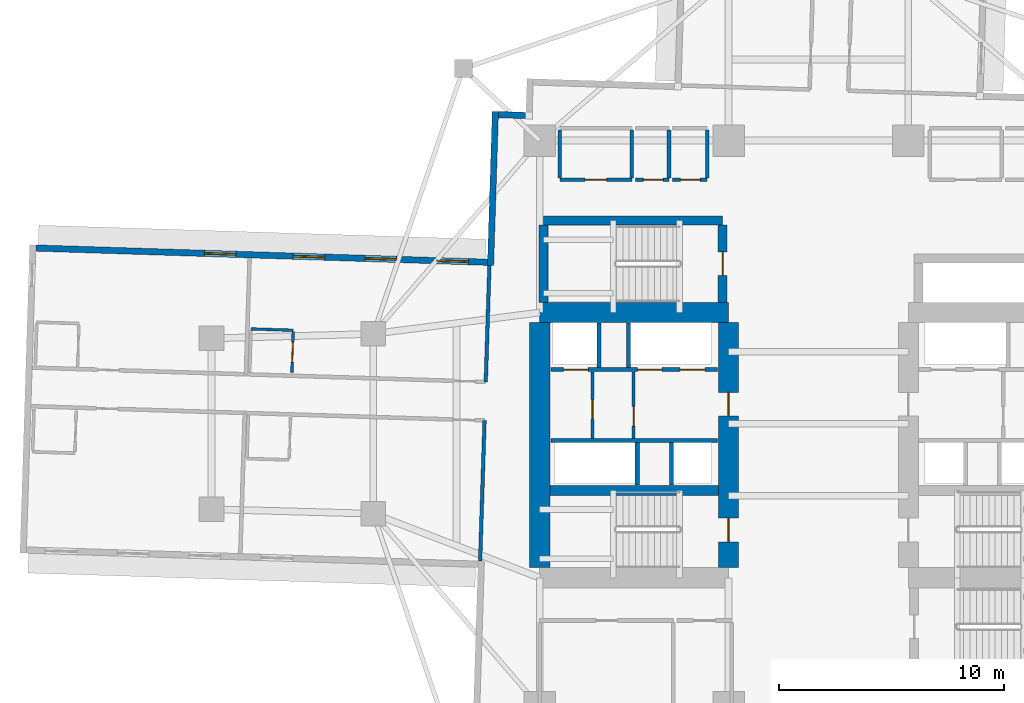
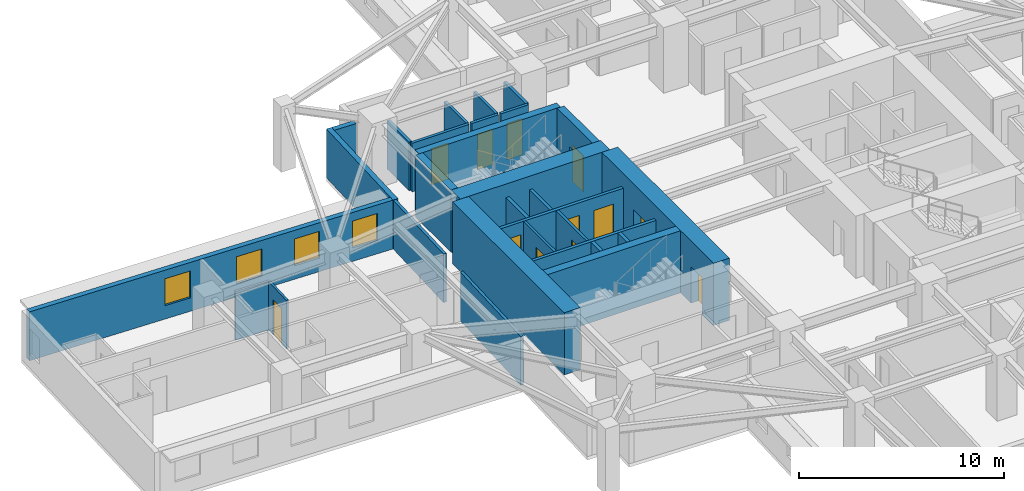
# One storey, part 5 of 13: 29 walls, 12 doors, 4 windows, 16 openings.
"""IFC4 building model written with IfcOpenShell, lengths in metres."""

from ifc_helpers import new_model, si_unit, direction, frame, frame_2d, origin, place, context, subcontext, project, spatial, rectangle, extrude, material, layer, layer_set, type_object, element, fill, save


model = new_model("IFC4")

# Units and contexts
model_context = context("Model", 3, precision=1e-05, world=origin(), true_north=direction((0.0, 1.0)))
body_context = subcontext(model_context, "Body", "Model", "MODEL_VIEW")
ifc_project = project(units=[si_unit("LENGTHUNIT", "METRE"), si_unit("AREAUNIT", "SQUARE_METRE"), si_unit("VOLUMEUNIT", "CUBIC_METRE"), si_unit("PLANEANGLEUNIT", "RADIAN"), si_unit("MASSUNIT", "GRAM", prefix="KILO")], contexts=[model_context])

# Site, building, storey
site_placement = place(None, origin())
site = spatial("IfcSite", under=ifc_project, at=site_placement, CompositionType="ELEMENT")
building_placement = place(site_placement, origin())
building = spatial("IfcBuilding", under=site, at=building_placement, Name="Qingluan Cross Belvedere", CompositionType="ELEMENT")
storey_placement = place(building_placement, frame((0.0, 0.0, 71.699951171875)))
storey = spatial("IfcBuildingStorey", under=building, at=storey_placement, Name="L18", CompositionType="ELEMENT", Elevation=71.699951171875)

# Walls
ifc_material_1 = material(Name="Concrete C50", Category="concrete")
ifc_layer_1 = layer(ifc_material_1, 0.449951171875, Name="CoreShearWall_450")
ifc_layer_set_1 = layer_set([ifc_layer_1], Name="Concrete C50")
wall_type_1 = type_object("IfcWallType", Name="CoreShearWall_450", PredefinedType="SHEAR", material=ifc_layer_set_1)
wall_1_placement = place(storey_placement, frame((-11.945068359375, -2.9599609375, 0.0), z_axis=(0.0, 0.0, 1.0), x_axis=(1.0, 0.0, 0.0)))
element("IfcWall", 1, at=wall_1_placement, inside=storey, type_object=wall_type_1, Name="Split core W shear wall L18-M", PredefinedType="SHEAR", context=body_context, shape_type="SweptSolid", body=[
    extrude(rectangle(XDim=7.489990234375, YDim=0.449951171875, at=frame_2d((3.7451171875, 0.0))), origin(), (0.0, 0.0, 1.0), 3.699951171875),
])
wall_2_placement = place(storey_placement, frame((-12.219970703125, 9.0400390625, 0.0), z_axis=(0.0, 0.0, 1.0), x_axis=(1.0, 0.0, 0.0)))
element("IfcWall", 2, at=wall_2_placement, inside=storey, type_object=wall_type_1, Name="Stair ST3 structural wall N L18", PredefinedType="SHEAR", context=body_context, shape_type="SweptSolid", body=[
    extrude(rectangle(XDim=7.9599609375, YDim=0.39990234375, at=frame_2d((3.97998046875, 0.0))), origin(), (0.0, 0.0, 1.0), 3.699951171875),
])
wall_3_placement = place(storey_placement, frame((-12.219970703125, 5.405029296875, 0.0), z_axis=(0.0, 0.0, 1.0), x_axis=(0.0, 1.0, 0.0)))
element("IfcWall", 3, at=wall_3_placement, inside=storey, type_object=wall_type_1, Name="Stair ST3 structural wall W L18", PredefinedType="SHEAR", context=body_context, shape_type="SweptSolid", body=[
    extrude(rectangle(XDim=3.429931640625, YDim=0.39990234375, at=frame_2d((1.71484375, 0.0))), origin(), (0.0, 0.0, 1.0), 3.699951171875),
])

# Wall, opening, door
wall_4_placement = place(storey_placement, frame((-4.260009765625, 5.405029296875, 0.0), z_axis=(0.0, 0.0, 1.0), x_axis=(0.0, 1.0, 0.0)))
wall_4 = element("IfcWall", 4, at=wall_4_placement, inside=storey, type_object=wall_type_1, Name="Stair ST3 structural wall E L18", PredefinedType="SHEAR", context=body_context, shape_type="SweptSolid", body=[
    extrude(rectangle(XDim=3.429931640625, YDim=0.39990234375, at=frame_2d((1.71484375, 0.0))), origin(), (0.0, 0.0, 1.0), 3.699951171875),
])
opening_1_placement = place(wall_4_placement, frame((1.195068359375, 0.0, 0.0)))
opening_1 = element("IfcOpeningElement", 5, at=opening_1_placement, cuts=wall_4, Name="Opening FD-B11", PredefinedType="OPENING", context=body_context, shape_type="SweptSolid", body=[
    extrude(rectangle(XDim=1.050048828125, YDim=2.14990234375, at=frame_2d((0.52490234375, 1.074951171875))), frame((0.0, 0.2099609375, 0.0), z_axis=(0.0, -1.0, 0.0), x_axis=(1.0, 0.0, 0.0)), (0.0, 0.0, 1.0), 0.419921875),
])
ifc_material_2 = material(Name="Steel Class B smoke-seal fire door", Category="steel")
door_type_1 = type_object("IfcDoorType", Name="StairLobbyFireDoor_FDB", OperationType="NOTDEFINED", PredefinedType="DOOR", material=ifc_material_2)
door_1_placement = place(opening_1_placement, origin())
door_1 = element("IfcDoor", 6, at=door_1_placement, inside=storey, type_object=door_type_1, Name="Smoke-proof stair ST3 fire door L18", OperationType="SINGLE_SWING_RIGHT", OverallHeight=2.14990234375, OverallWidth=1.050048828125, PredefinedType="DOOR", context=body_context, shape_type="SweptSolid", body=[
    extrude(rectangle(XDim=1.050048828125, YDim=2.14990234375, at=frame_2d((0.52490234375, 1.074951171875))), frame((0.0, 0.02490234375, 0.0), z_axis=(0.0, -1.0, 0.0), x_axis=(1.0, 0.0, 0.0)), (0.0, 0.0, 1.0), 0.050048828125),
])
fill(opening_1, door_1)

# Walls
ifc_material_3 = material(Name="Concrete C70", Category="concrete")
ifc_layer_2 = layer(ifc_material_3, 0.89990234375, Name="CoreShearWall_900")
ifc_layer_set_2 = layer_set([ifc_layer_2], Name="Concrete C70")
wall_type_2 = type_object("IfcWallType", Name="CoreShearWall_900", PredefinedType="SHEAR", material=ifc_layer_set_2)
wall_5_placement = place(storey_placement, frame((-12.39990234375, 4.949951171875, 0.0), z_axis=(0.0, 0.0, 1.0), x_axis=(1.0, 0.0, 0.0)))
element("IfcWall", 7, at=wall_5_placement, inside=storey, type_object=wall_type_2, Name="Split core W shear wall L18-N", PredefinedType="SHEAR", context=body_context, shape_type="SweptSolid", body=[
    extrude(rectangle(XDim=8.39990234375, YDim=0.89990234375, at=frame_2d((4.199951171875, 0.0))), origin(), (0.0, 0.0, 1.0), 3.699951171875),
])
wall_6_placement = place(storey_placement, frame((-12.39990234375, -6.39501953125, 0.0), z_axis=(0.0, 0.0, 1.0), x_axis=(0.0, 1.0, 0.0)))
element("IfcWall", 8, at=wall_6_placement, inside=storey, type_object=wall_type_2, Name="Split core W shear wall L18-W", PredefinedType="SHEAR", context=body_context, shape_type="SweptSolid", body=[
    extrude(rectangle(XDim=10.89013671875, YDim=0.89990234375, at=frame_2d((5.445068359375, 0.0))), origin(), (0.0, 0.0, 1.0), 3.699951171875),
])

# Wall, openings, doors
wall_7_placement = place(storey_placement, frame((-4.0, -6.39501953125, 0.0), z_axis=(0.0, 0.0, 1.0), x_axis=(0.0, 1.0, 0.0)))
wall_7 = element("IfcWall", 9, at=wall_7_placement, inside=storey, type_object=wall_type_2, Name="Split core W shear wall L18-E", PredefinedType="SHEAR", context=body_context, shape_type="SweptSolid", body=[
    extrude(rectangle(XDim=10.89013671875, YDim=0.89990234375, at=frame_2d((5.445068359375, 0.0))), origin(), (0.0, 0.0, 1.0), 3.699951171875),
])
opening_2_placement = place(wall_7_placement, frame((1.14501953125, 0.0, 0.0)))
opening_2 = element("IfcOpeningElement", 10, at=opening_2_placement, cuts=wall_7, Name="Opening FD-B11", PredefinedType="OPENING", context=body_context, shape_type="SweptSolid", body=[
    extrude(rectangle(XDim=1.050048828125, YDim=2.14990234375, at=frame_2d((0.52490234375, 1.074951171875))), frame((0.0, 0.4599609375, 0.0), z_axis=(0.0, -1.0, 0.0), x_axis=(1.0, 0.0, 0.0)), (0.0, 0.0, 1.0), 0.919921875),
])
opening_3_placement = place(wall_7_placement, frame((6.7451171875, 0.0, 0.0)))
opening_3 = element("IfcOpeningElement", 11, at=opening_3_placement, cuts=wall_7, Name="Opening FD-B11", PredefinedType="OPENING", context=body_context, shape_type="SweptSolid", body=[
    extrude(rectangle(XDim=1.050048828125, YDim=2.14990234375, at=frame_2d((0.52490234375, 1.074951171875))), frame((0.0, 0.4599609375, 0.0), z_axis=(0.0, -1.0, 0.0), x_axis=(1.0, 0.0, 0.0)), (0.0, 0.0, 1.0), 0.919921875),
])
door_2_placement = place(opening_2_placement, origin())
door_2 = element("IfcDoor", 12, at=door_2_placement, inside=storey, type_object=door_type_1, Name="Smoke-proof stair ST1 fire door L18", OperationType="SINGLE_SWING_RIGHT", OverallHeight=2.14990234375, OverallWidth=1.050048828125, PredefinedType="DOOR", context=body_context, shape_type="SweptSolid", body=[
    extrude(rectangle(XDim=1.050048828125, YDim=2.14990234375, at=frame_2d((0.52490234375, 1.074951171875))), frame((0.0, 0.02490234375, 0.0), z_axis=(0.0, -1.0, 0.0), x_axis=(1.0, 0.0, 0.0)), (0.0, 0.0, 1.0), 0.050048828125),
])
fill(opening_2, door_2)
door_3_placement = place(opening_3_placement, origin())
door_3 = element("IfcDoor", 13, at=door_3_placement, inside=storey, type_object=door_type_1, Name="Firefighting lobby West fire door L18", OperationType="SINGLE_SWING_RIGHT", OverallHeight=2.14990234375, OverallWidth=1.050048828125, PredefinedType="DOOR", context=body_context, shape_type="SweptSolid", body=[
    extrude(rectangle(XDim=1.050048828125, YDim=2.14990234375, at=frame_2d((0.52490234375, 1.074951171875))), frame((0.0, 0.02490234375, 0.0), z_axis=(0.0, -1.0, 0.0), x_axis=(1.0, 0.0, 0.0)), (0.0, 0.0, 1.0), 0.050048828125),
])
fill(opening_3, door_3)

# Wall, opening, door
ifc_material_4 = material(Name="Gypsum plasterboard on steel stud acoustic partition", Category="steel")
ifc_layer_3 = layer(ifc_material_4, 0.159912109375, Name="CorridorPartition_160")
ifc_layer_set_3 = layer_set([ifc_layer_3], Name="Gypsum plasterboard on steel stud acoustic partition")
wall_type_3 = type_object("IfcWallType", Name="CorridorPartition_160", PredefinedType="PARTITIONING", material=ifc_layer_set_3)
wall_8_placement = place(storey_placement, frame((-10.050048828125, -0.652099609375, 0.0), z_axis=(0.0, 0.0, 1.0), x_axis=(0.0, 1.0, 0.0)))
wall_8 = element("IfcWall", 14, at=wall_8_placement, inside=storey, type_object=wall_type_3, Name="Partition L18:wv", PredefinedType="PARTITIONING", context=body_context, shape_type="SweptSolid", body=[
    extrude(rectangle(XDim=2.962158203125, YDim=0.139892578125, at=frame_2d((1.48095703125, 0.0))), origin(), (0.0, 0.0, 1.0), 2.900146484375),
])
opening_4_placement = place(wall_8_placement, frame((0.85009765625, 0.0, 0.0)))
opening_4 = element("IfcOpeningElement", 15, at=opening_4_placement, cuts=wall_8, Name="Opening FD-B10", PredefinedType="OPENING", context=body_context, shape_type="SweptSolid", body=[
    extrude(rectangle(XDim=0.8798828125, YDim=2.10009765625, at=frame_2d((0.43994140625, 1.050048828125))), frame((0.0, 0.079833984375, 0.0), z_axis=(0.0, -1.0, 0.0), x_axis=(1.0, 0.0, 0.0)), (0.0, 0.0, 1.0), 0.159912109375),
])
ifc_material_5 = material(Name="Steel Class B service fire door", Category="steel")
door_type_2 = type_object("IfcDoorType", Name="RiserServiceFireDoor_FDB", OperationType="NOTDEFINED", PredefinedType="DOOR", material=ifc_material_5)
door_4_placement = place(opening_4_placement, origin())
door_4 = element("IfcDoor", 16, at=door_4_placement, inside=storey, type_object=door_type_2, Name="Service closet inner door L18", OperationType="SINGLE_SWING_RIGHT", OverallHeight=2.10009765625, OverallWidth=0.8798828125, PredefinedType="DOOR", context=body_context, shape_type="SweptSolid", body=[
    extrude(rectangle(XDim=0.8798828125, YDim=2.10009765625, at=frame_2d((0.43994140625, 1.050048828125))), frame((0.0, 0.02490234375, 0.0), z_axis=(0.0, -1.0, 0.0), x_axis=(1.0, 0.0, 0.0)), (0.0, 0.0, 1.0), 0.050048828125),
])
fill(opening_4, door_4)

wall_9_placement = place(storey_placement, frame((-11.5, 10.85009765625, 0.0), z_axis=(0.0, 0.0, 1.0), x_axis=(1.0, 0.0, 0.0)))
wall_9 = element("IfcWall", 17, at=wall_9_placement, inside=storey, type_object=wall_type_3, Name="Partition L18:q_nw_occ:S", PredefinedType="PARTITIONING", context=body_context, shape_type="SweptSolid", body=[
    extrude(rectangle(XDim=3.199951171875, YDim=0.159912109375, at=frame_2d((1.60009765625, 0.0))), origin(), (0.0, 0.0, 1.0), 2.900146484375),
])
opening_5_placement = place(wall_9_placement, frame((1.1201171875, 0.0, 0.0)))
opening_5 = element("IfcOpeningElement", 18, at=opening_5_placement, cuts=wall_9, Name="Opening GD-10", PredefinedType="OPENING", context=body_context, shape_type="SweptSolid", body=[
    extrude(rectangle(XDim=0.9599609375, YDim=2.14990234375, at=frame_2d((0.47998046875, 1.074951171875))), frame((0.0, 0.08984375, 0.0), z_axis=(0.0, -1.0, 0.0), x_axis=(1.0, 0.0, 0.0)), (0.0, 0.0, 1.0), 0.179931640625),
])
ifc_material_6 = material(Name="Timber oak fire-rated acoustic guestroom door", Category="wood")
door_type_3 = type_object("IfcDoorType", Name="GuestEntryDoor_FD60", OperationType="NOTDEFINED", PredefinedType="DOOR", material=ifc_material_6)
door_5_placement = place(opening_5_placement, origin())
door_5 = element("IfcDoor", 19, at=door_5_placement, inside=storey, type_object=door_type_3, Name="Northwest corner reading salon L18 door", OperationType="SINGLE_SWING_RIGHT", OverallHeight=2.14990234375, OverallWidth=0.9599609375, PredefinedType="DOOR", context=body_context, shape_type="SweptSolid", body=[
    extrude(rectangle(XDim=0.9599609375, YDim=2.14990234375, at=frame_2d((0.47998046875, 1.074951171875))), frame((0.0, 0.02490234375, 0.0), z_axis=(0.0, -1.0, 0.0), x_axis=(1.0, 0.0, 0.0)), (0.0, 0.0, 1.0), 0.050048828125),
])
fill(opening_5, door_5)

# Walls
for number, where, z_axis, x_axis, name in (
    (20, (-11.5, 10.93505859375, 0.0), (0.0, 0.0, 1.0), (0.0, 1.0, 0.0), "Partition L18:q_nw_occ:W"),
    (21, (-8.300048828125, 10.93505859375, 0.0), (0.0, 0.0, 1.0), (0.0, 1.0, 0.0), "Partition L18:q_nw_occ:E"),
):
    element("IfcWall", number, at=place(storey_placement, frame(where, z_axis=z_axis, x_axis=x_axis)), inside=storey, type_object=wall_type_3, Name=name, PredefinedType="PARTITIONING", context=body_context, shape_type="SweptSolid", body=[
        extrude(rectangle(XDim=2.1298828125, YDim=0.159912109375, at=frame_2d((1.06494140625, 0.0))), origin(), (0.0, 0.0, 1.0), 2.900146484375),
    ])

# Wall, opening, door
wall_10_placement = place(storey_placement, frame((-8.139892578125, 10.85009765625, 0.0), z_axis=(0.0, 0.0, 1.0), x_axis=(1.0, 0.0, 0.0)))
wall_10 = element("IfcWall", 22, at=wall_10_placement, inside=storey, type_object=wall_type_3, Name="Partition L18:hk_linen:S", PredefinedType="PARTITIONING", context=body_context, shape_type="SweptSolid", body=[
    extrude(rectangle(XDim=1.489990234375, YDim=0.159912109375, at=frame_2d((0.7451171875, 0.0))), origin(), (0.0, 0.0, 1.0), 2.900146484375),
])
opening_6_placement = place(wall_10_placement, frame((0.35009765625, 0.0, 0.0)))
opening_6 = element("IfcOpeningElement", 23, at=opening_6_placement, cuts=wall_10, Name="Opening FD-B10", PredefinedType="OPENING", context=body_context, shape_type="SweptSolid", body=[
    extrude(rectangle(XDim=0.8798828125, YDim=2.10009765625, at=frame_2d((0.43994140625, 1.050048828125))), frame((0.0, 0.08984375, 0.0), z_axis=(0.0, -1.0, 0.0), x_axis=(1.0, 0.0, 0.0)), (0.0, 0.0, 1.0), 0.179931640625),
])
door_6_placement = place(opening_6_placement, origin())
door_6 = element("IfcDoor", 24, at=door_6_placement, inside=storey, type_object=door_type_2, Name="Housekeeping and linen store L18 door", OperationType="SINGLE_SWING_LEFT", OverallHeight=2.10009765625, OverallWidth=0.8798828125, PredefinedType="DOOR", context=body_context, shape_type="SweptSolid", body=[
    extrude(rectangle(XDim=0.8798828125, YDim=2.10009765625, at=frame_2d((0.43994140625, 1.050048828125))), frame((0.0, 0.02490234375, 0.0), z_axis=(0.0, -1.0, 0.0), x_axis=(1.0, 0.0, 0.0)), (0.0, 0.0, 1.0), 0.050048828125),
])
fill(opening_6, door_6)

# Wall
wall_11_placement = place(storey_placement, frame((-6.64990234375, 10.93505859375, 0.0), z_axis=(0.0, 0.0, 1.0), x_axis=(0.0, 1.0, 0.0)))
element("IfcWall", 25, at=wall_11_placement, inside=storey, type_object=wall_type_3, Name="Partition L18:hk_linen:E", PredefinedType="PARTITIONING", context=body_context, shape_type="SweptSolid", body=[
    extrude(rectangle(XDim=2.1298828125, YDim=0.159912109375, at=frame_2d((1.06494140625, 0.0))), origin(), (0.0, 0.0, 1.0), 2.900146484375),
])

# Wall, opening, door
wall_12_placement = place(storey_placement, frame((-6.489990234375, 10.85009765625, 0.0), z_axis=(0.0, 0.0, 1.0), x_axis=(1.0, 0.0, 0.0)))
wall_12 = element("IfcWall", 26, at=wall_12_placement, inside=storey, type_object=wall_type_3, Name="Partition L18:floor_acc_wc:S", PredefinedType="PARTITIONING", context=body_context, shape_type="SweptSolid", body=[
    extrude(rectangle(XDim=1.5400390625, YDim=0.159912109375, at=frame_2d((0.77001953125, 0.0))), origin(), (0.0, 0.0, 1.0), 2.900146484375),
])
opening_7_placement = place(wall_12_placement, frame((0.35009765625, 0.0, 0.0)))
opening_7 = element("IfcOpeningElement", 27, at=opening_7_placement, cuts=wall_12, Name="Opening BD-08", PredefinedType="OPENING", context=body_context, shape_type="SweptSolid", body=[
    extrude(rectangle(XDim=0.8798828125, YDim=2.14990234375, at=frame_2d((0.43994140625, 1.074951171875))), frame((0.0, 0.08984375, 0.0), z_axis=(0.0, -1.0, 0.0), x_axis=(1.0, 0.0, 0.0)), (0.0, 0.0, 1.0), 0.179931640625),
])
ifc_material_7 = material(Name="Moisture-sealed timber accessible WC door", Category="wood")
door_type_4 = type_object("IfcDoorType", Name="AccessibleWCDoor_880", OperationType="NOTDEFINED", PredefinedType="DOOR", material=ifc_material_7)
door_7_placement = place(opening_7_placement, origin())
door_7 = element("IfcDoor", 28, at=door_7_placement, inside=storey, type_object=door_type_4, Name="Accessible guest washroom L18 door", OperationType="SINGLE_SWING_RIGHT", OverallHeight=2.14990234375, OverallWidth=0.8798828125, PredefinedType="DOOR", context=body_context, shape_type="SweptSolid", body=[
    extrude(rectangle(XDim=0.8798828125, YDim=2.14990234375, at=frame_2d((0.43994140625, 1.074951171875))), frame((0.0, 0.02490234375, 0.0), z_axis=(0.0, -1.0, 0.0), x_axis=(1.0, 0.0, 0.0)), (0.0, 0.0, 1.0), 0.050048828125),
])
fill(opening_7, door_7)

# Walls
wall_13_placement = place(storey_placement, frame((-4.949951171875, 10.93505859375, 0.0), z_axis=(0.0, 0.0, 1.0), x_axis=(0.0, 1.0, 0.0)))
element("IfcWall", 29, at=wall_13_placement, inside=storey, type_object=wall_type_3, Name="Partition L18:floor_acc_wc:E", PredefinedType="PARTITIONING", context=body_context, shape_type="SweptSolid", body=[
    extrude(rectangle(XDim=2.1298828125, YDim=0.159912109375, at=frame_2d((1.06494140625, 0.0))), origin(), (0.0, 0.0, 1.0), 2.900146484375),
])
wall_14_placement = place(storey_placement, frame((-14.798583984375, 1.86572265625, 0.0), z_axis=(0.0, 0.0, 1.0), x_axis=(0.031390964211, 0.999507182248, 0.0)))
element("IfcWall", 30, at=wall_14_placement, inside=storey, type_object=wall_type_3, Name="Partition L18:W:s0", PredefinedType="PARTITIONING", context=body_context, shape_type="SweptSolid", body=[
    extrude(rectangle(XDim=5.171875, YDim=0.159912109375, at=frame_2d((2.5859375, 0.0))), origin(), (0.0, 0.0, 1.0), 2.900146484375),
])
wall_15_placement = place(storey_placement, frame((-14.852783203125, 0.146484375, 0.0), z_axis=(0.0, 0.0, 1.0), x_axis=(-0.031435911097, -0.999505769615, 0.0)))
element("IfcWall", 31, at=wall_15_placement, inside=storey, type_object=wall_type_3, Name="Partition L18:W:s1", PredefinedType="PARTITIONING", context=body_context, shape_type="SweptSolid", body=[
    extrude(rectangle(XDim=6.251953125, YDim=0.159912109375, at=frame_2d((3.1259765625, 0.0))), origin(), (0.0, 0.0, 1.0), 2.900146484375),
])

# Wall, opening, door
ifc_material_8 = material(Name="Moisture-resistant gypsum board lining")
ifc_layer_4 = layer(ifc_material_8, 0.1201171875, Name="EnsuiteWetPartition_120")
ifc_layer_set_4 = layer_set([ifc_layer_4], Name="Moisture-resistant gypsum board lining")
wall_type_4 = type_object("IfcWallType", Name="EnsuiteWetPartition_120", PredefinedType="PARTITIONING", material=ifc_layer_set_4)
wall_16_placement = place(storey_placement, frame((-23.423095703125, 2.27685546875, 0.0), z_axis=(0.0, 0.0, 1.0), x_axis=(0.031389704724, 0.999507221803, 0.0)))
wall_16 = element("IfcWall", 32, at=wall_16_placement, inside=storey, type_object=wall_type_4, Name="Partition L18:W:bs0_0", PredefinedType="PARTITIONING", context=body_context, shape_type="SweptSolid", body=[
    extrude(rectangle(XDim=1.820068359375, YDim=0.1201171875, at=frame_2d((0.91015625, 0.0))), origin(), (0.0, 0.0, 1.0), 2.900146484375),
])
opening_8_placement = place(wall_16_placement, frame((0.469970703125, 0.0, 0.0)))
opening_8 = element("IfcOpeningElement", 33, at=opening_8_placement, cuts=wall_16, Name="Opening BD-09", PredefinedType="OPENING", context=body_context, shape_type="SweptSolid", body=[
    extrude(rectangle(XDim=0.8798828125, YDim=2.10009765625, at=frame_2d((0.43994140625, 1.050048828125))), frame((0.0, 0.070068359375, 0.0), z_axis=(0.0, -1.0, 0.0), x_axis=(1.0, 0.0, 0.0)), (0.0, 0.0, 1.0), 0.14013671875),
])
ifc_material_9 = material(Name="Moisture-sealed timber en-suite door", Category="wood")
door_type_5 = type_object("IfcDoorType", Name="BathroomDoor_880", OperationType="NOTDEFINED", PredefinedType="DOOR", material=ifc_material_9)
door_8_placement = place(opening_8_placement, origin())
door_8 = element("IfcDoor", 34, at=door_8_placement, inside=storey, type_object=door_type_5, Name="Bathroom door 1807", OperationType="SINGLE_SWING_RIGHT", OverallHeight=2.10009765625, OverallWidth=0.8798828125, PredefinedType="DOOR", context=body_context, shape_type="SweptSolid", body=[
    extrude(rectangle(XDim=0.8798828125, YDim=2.10009765625, at=frame_2d((0.43994140625, 1.050048828125))), frame((0.0, 0.02490234375, 0.0), z_axis=(0.0, -1.0, 0.0), x_axis=(1.0, 0.0, 0.0)), (0.0, 0.0, 1.0), 0.050048828125),
])
fill(opening_8, door_8)

# Wall
wall_17_placement = place(storey_placement, frame((-23.36376953125, 4.160888671875, 0.0), z_axis=(0.0, 0.0, 1.0), x_axis=(-0.999506103526, 0.031425292588, 0.0)))
element("IfcWall", 35, at=wall_17_placement, inside=storey, type_object=wall_type_4, Name="Partition L18:W:bn0_0", PredefinedType="PARTITIONING", context=body_context, shape_type="SweptSolid", body=[
    extrude(rectangle(XDim=1.880126953125, YDim=0.1201171875, at=frame_2d((0.93994140625, 0.0))), origin(), (0.0, 0.0, 1.0), 2.900146484375),
])

# Wall, openings, windows
ifc_material_10 = material(Name="Precast concrete C45", Category="concrete")
ifc_layer_5 = layer(ifc_material_10, 0.280029296875, Name="PrecastFacadeWall_280")
ifc_layer_set_5 = layer_set([ifc_layer_5], Name="Precast concrete C45")
wall_type_5 = type_object("IfcWallType", Name="PrecastFacadeWall_280", PredefinedType="STANDARD", material=ifc_layer_set_5)
wall_18_placement = place(storey_placement, frame((-14.721435546875, 7.18603515625, 0.0), z_axis=(0.0, 0.0, 1.0), x_axis=(-0.999506574096, 0.031410322165, 0.0)))
wall_18 = element("IfcWall", 36, at=wall_18_placement, inside=storey, type_object=wall_type_5, Name="Facade wall L18-WA", PredefinedType="STANDARD", context=body_context, shape_type="SweptSolid", body=[
    extrude(rectangle(XDim=20.10009765625, YDim=0.280029296875, at=frame_2d((10.050048828125, 0.0))), origin(), (0.0, 0.0, 1.0), 2.91015625),
])
opening_9_placement = place(wall_18_placement, frame((0.85009765625, 0.0, 0.800048828125)))
opening_9 = element("IfcOpeningElement", 37, at=opening_9_placement, cuts=wall_18, Name="Opening W-01", PredefinedType="OPENING", context=body_context, shape_type="SweptSolid", body=[
    extrude(rectangle(XDim=1.39990234375, YDim=1.60009765625, at=frame_2d((0.699951171875, 0.800048828125))), frame((0.0, 0.14990234375, 0.0), z_axis=(0.0, -1.0, 0.0), x_axis=(1.0, 0.0, 0.0)), (0.0, 0.0, 1.0), 0.300048828125),
])
opening_10_placement = place(wall_18_placement, frame((4.050048828125, 0.0, 0.800048828125)))
opening_10 = element("IfcOpeningElement", 38, at=opening_10_placement, cuts=wall_18, Name="Opening W-01", PredefinedType="OPENING", context=body_context, shape_type="SweptSolid", body=[
    extrude(rectangle(XDim=1.39990234375, YDim=1.60009765625, at=frame_2d((0.699951171875, 0.800048828125))), frame((0.0, 0.14990234375, 0.0), z_axis=(0.0, -1.0, 0.0), x_axis=(1.0, 0.0, 0.0)), (0.0, 0.0, 1.0), 0.300048828125),
])
opening_11_placement = place(wall_18_placement, frame((7.25, 0.0, 0.800048828125)))
opening_11 = element("IfcOpeningElement", 39, at=opening_11_placement, cuts=wall_18, Name="Opening W-01", PredefinedType="OPENING", context=body_context, shape_type="SweptSolid", body=[
    extrude(rectangle(XDim=1.39990234375, YDim=1.60009765625, at=frame_2d((0.699951171875, 0.800048828125))), frame((0.0, 0.14990234375, 0.0), z_axis=(0.0, -1.0, 0.0), x_axis=(1.0, 0.0, 0.0)), (0.0, 0.0, 1.0), 0.300048828125),
])
opening_12_placement = place(wall_18_placement, frame((11.199951171875, 0.0, 0.800048828125)))
opening_12 = element("IfcOpeningElement", 40, at=opening_12_placement, cuts=wall_18, Name="Opening W-01", PredefinedType="OPENING", context=body_context, shape_type="SweptSolid", body=[
    extrude(rectangle(XDim=1.39990234375, YDim=1.60009765625, at=frame_2d((0.699951171875, 0.800048828125))), frame((0.0, 0.14990234375, 0.0), z_axis=(0.0, -1.0, 0.0), x_axis=(1.0, 0.0, 0.0)), (0.0, 0.0, 1.0), 0.300048828125),
])
ifc_material_11 = material(Name="Thermally broken triple Low-E glass in aluminium frame", Category="aluminium")
window_type = type_object("IfcWindowType", Name="TriRibbonWin_1400x1600", PartitioningType="SINGLE_PANEL", PredefinedType="WINDOW", material=ifc_material_11)
window_1_placement = place(opening_9_placement, origin())
window_1 = element("IfcWindow", 41, at=window_1_placement, inside=storey, type_object=window_type, Name="Ribbon window L18-WA-1", OverallHeight=1.60009765625, OverallWidth=1.39990234375, PartitioningType="SINGLE_PANEL", PredefinedType="WINDOW", context=body_context, shape_type="SweptSolid", body=[
    extrude(rectangle(XDim=1.39990234375, YDim=1.60009765625, at=frame_2d((0.699951171875, 0.800048828125))), frame((0.0, 0.030029296875, 0.0), z_axis=(0.0, -1.0, 0.0), x_axis=(1.0, 0.0, 0.0)), (0.0, 0.0, 1.0), 0.06005859375),
])
fill(opening_9, window_1)
window_2_placement = place(opening_10_placement, origin())
window_2 = element("IfcWindow", 42, at=window_2_placement, inside=storey, type_object=window_type, Name="Ribbon window L18-WA-2", OverallHeight=1.60009765625, OverallWidth=1.39990234375, PartitioningType="SINGLE_PANEL", PredefinedType="WINDOW", context=body_context, shape_type="SweptSolid", body=[
    extrude(rectangle(XDim=1.39990234375, YDim=1.60009765625, at=frame_2d((0.699951171875, 0.800048828125))), frame((0.0, 0.030029296875, 0.0), z_axis=(0.0, -1.0, 0.0), x_axis=(1.0, 0.0, 0.0)), (0.0, 0.0, 1.0), 0.06005859375),
])
fill(opening_10, window_2)
window_3_placement = place(opening_11_placement, origin())
window_3 = element("IfcWindow", 43, at=window_3_placement, inside=storey, type_object=window_type, Name="Ribbon window L18-WA-3", OverallHeight=1.60009765625, OverallWidth=1.39990234375, PartitioningType="SINGLE_PANEL", PredefinedType="WINDOW", context=body_context, shape_type="SweptSolid", body=[
    extrude(rectangle(XDim=1.39990234375, YDim=1.60009765625, at=frame_2d((0.699951171875, 0.800048828125))), frame((0.0, 0.030029296875, 0.0), z_axis=(0.0, -1.0, 0.0), x_axis=(1.0, 0.0, 0.0)), (0.0, 0.0, 1.0), 0.06005859375),
])
fill(opening_11, window_3)
window_4_placement = place(opening_12_placement, origin())
window_4 = element("IfcWindow", 44, at=window_4_placement, inside=storey, type_object=window_type, Name="Ribbon window L18-WA-4", OverallHeight=1.60009765625, OverallWidth=1.39990234375, PartitioningType="SINGLE_PANEL", PredefinedType="WINDOW", context=body_context, shape_type="SweptSolid", body=[
    extrude(rectangle(XDim=1.39990234375, YDim=1.60009765625, at=frame_2d((0.699951171875, 0.800048828125))), frame((0.0, 0.030029296875, 0.0), z_axis=(0.0, -1.0, 0.0), x_axis=(1.0, 0.0, 0.0)), (0.0, 0.0, 1.0), 0.06005859375),
])
fill(opening_12, window_4)

# Walls
wall_19_placement = place(storey_placement, frame((-14.5859375, 7.04150390625, 0.0), z_axis=(0.0, 0.0, 1.0), x_axis=(0.031389189386, 0.999507237988, 0.0)))
element("IfcWall", 45, at=wall_19_placement, inside=storey, type_object=wall_type_5, Name="Corner wall L18-NW1", PredefinedType="STANDARD", context=body_context, shape_type="SweptSolid", body=[
    extrude(rectangle(XDim=6.860107421875, YDim=0.280029296875, at=frame_2d((3.43017578125, 0.0))), origin(), (0.0, 0.0, 1.0), 2.91015625),
])
wall_20_placement = place(storey_placement, frame((-14.235107421875, 13.75390625, 0.0), z_axis=(0.0, 0.0, 1.0), x_axis=(0.999506398264, -0.031415916822, 0.0)))
element("IfcWall", 46, at=wall_20_placement, inside=storey, type_object=wall_type_5, Name="Corner wall L18-NW2", PredefinedType="STANDARD", context=body_context, shape_type="SweptSolid", body=[
    extrude(rectangle(XDim=1.219970703125, YDim=0.280029296875, at=frame_2d((0.60986328125, 0.0))), origin(), (0.0, 0.0, 1.0), 2.91015625),
])

# Wall, openings, doors
ifc_material_12 = material(Name="Concrete C40", Category="concrete")
ifc_layer_6 = layer(ifc_material_12, 0.219970703125, Name="ShaftEnclosureWall_250")
ifc_layer_set_6 = layer_set([ifc_layer_6], Name="Concrete C40")
wall_type_6 = type_object("IfcWallType", Name="ShaftEnclosureWall_250", PredefinedType="SOLIDWALL", material=ifc_layer_set_6)
wall_21_placement = place(storey_placement, frame((-11.89990234375, 2.409912109375, 0.0), z_axis=(0.0, 0.0, 1.0), x_axis=(1.0, 0.0, 0.0)))
wall_21 = element("IfcWall", 47, at=wall_21_placement, inside=storey, type_object=wall_type_6, Name="Core-W north hoistway wall L18", PredefinedType="SOLIDWALL", context=body_context, shape_type="SweptSolid", body=[
    extrude(rectangle(XDim=7.419921875, YDim=0.179931640625, at=frame_2d((3.7099609375, 0.0))), origin(), (0.0, 0.0, 1.0), 2.900146484375),
])
opening_13_placement = place(wall_21_placement, frame((0.550048828125, 0.0, 0.0)))
opening_13 = element("IfcOpeningElement", 48, at=opening_13_placement, cuts=wall_21, Name="Opening LD-11", PredefinedType="OPENING", context=body_context, shape_type="SweptSolid", body=[
    extrude(rectangle(XDim=1.10009765625, YDim=2.14990234375, at=frame_2d((0.550048828125, 1.074951171875))), frame((0.0, 0.099853515625, 0.0), z_axis=(0.0, -1.0, 0.0), x_axis=(1.0, 0.0, 0.0)), (0.0, 0.0, 1.0), 0.199951171875),
])
opening_14_placement = place(wall_21_placement, frame((3.85009765625, 0.0, 0.0)))
opening_14 = element("IfcOpeningElement", 49, at=opening_14_placement, cuts=wall_21, Name="Opening LD-11", PredefinedType="OPENING", context=body_context, shape_type="SweptSolid", body=[
    extrude(rectangle(XDim=1.10009765625, YDim=2.14990234375, at=frame_2d((0.550048828125, 1.074951171875))), frame((0.0, 0.099853515625, 0.0), z_axis=(0.0, -1.0, 0.0), x_axis=(1.0, 0.0, 0.0)), (0.0, 0.0, 1.0), 0.199951171875),
])
opening_15_placement = place(wall_21_placement, frame((5.75, 0.0, 0.0)))
opening_15 = element("IfcOpeningElement", 50, at=opening_15_placement, cuts=wall_21, Name="Opening LD-11", PredefinedType="OPENING", context=body_context, shape_type="SweptSolid", body=[
    extrude(rectangle(XDim=1.10009765625, YDim=2.14990234375, at=frame_2d((0.550048828125, 1.074951171875))), frame((0.0, 0.099853515625, 0.0), z_axis=(0.0, -1.0, 0.0), x_axis=(1.0, 0.0, 0.0)), (0.0, 0.0, 1.0), 0.199951171875),
])
ifc_material_13 = material(Name="Brushed stainless steel centre-opening lift landing door", Category="steel")
door_type_6 = type_object("IfcDoorType", Name="LiftLandingSlidingDoor_1100", OperationType="DOUBLE_DOOR_SLIDING", PredefinedType="DOOR", material=ifc_material_13)
door_9_placement = place(opening_13_placement, origin())
door_9 = element("IfcDoor", 51, at=door_9_placement, inside=storey, type_object=door_type_6, Name="Lift landing sliding door FL1 L18", OperationType="DOUBLE_DOOR_SLIDING", OverallHeight=2.14990234375, OverallWidth=1.10009765625, PredefinedType="DOOR", context=body_context, shape_type="SweptSolid", body=[
    extrude(rectangle(XDim=1.10009765625, YDim=2.14990234375, at=frame_2d((0.550048828125, 1.074951171875))), frame((0.0, 0.02490234375, 0.0), z_axis=(0.0, -1.0, 0.0), x_axis=(1.0, 0.0, 0.0)), (0.0, 0.0, 1.0), 0.050048828125),
])
fill(opening_13, door_9)
door_10_placement = place(opening_14_placement, origin())
door_10 = element("IfcDoor", 52, at=door_10_placement, inside=storey, type_object=door_type_6, Name="Lift landing sliding door LP1 L18", OperationType="DOUBLE_DOOR_SLIDING", OverallHeight=2.14990234375, OverallWidth=1.10009765625, PredefinedType="DOOR", context=body_context, shape_type="SweptSolid", body=[
    extrude(rectangle(XDim=1.10009765625, YDim=2.14990234375, at=frame_2d((0.550048828125, 1.074951171875))), frame((0.0, 0.02490234375, 0.0), z_axis=(0.0, -1.0, 0.0), x_axis=(1.0, 0.0, 0.0)), (0.0, 0.0, 1.0), 0.050048828125),
])
fill(opening_14, door_10)
door_11_placement = place(opening_15_placement, origin())
door_11 = element("IfcDoor", 53, at=door_11_placement, inside=storey, type_object=door_type_6, Name="Lift landing sliding door LP2 L18", OperationType="DOUBLE_DOOR_SLIDING", OverallHeight=2.14990234375, OverallWidth=1.10009765625, PredefinedType="DOOR", context=body_context, shape_type="SweptSolid", body=[
    extrude(rectangle(XDim=1.10009765625, YDim=2.14990234375, at=frame_2d((0.550048828125, 1.074951171875))), frame((0.0, 0.02490234375, 0.0), z_axis=(0.0, -1.0, 0.0), x_axis=(1.0, 0.0, 0.0)), (0.0, 0.0, 1.0), 0.050048828125),
])
fill(opening_15, door_11)

# Walls
wall_22_placement = place(storey_placement, frame((-11.89990234375, -0.75, 0.0), z_axis=(0.0, 0.0, 1.0), x_axis=(1.0, 0.0, 0.0)))
element("IfcWall", 54, at=wall_22_placement, inside=storey, type_object=wall_type_6, Name="Core-W mid hoistway wall L18", PredefinedType="SOLIDWALL", context=body_context, shape_type="SweptSolid", body=[
    extrude(rectangle(XDim=7.419921875, YDim=0.179931640625, at=frame_2d((3.7099609375, 0.0))), origin(), (0.0, 0.0, 1.0), 2.900146484375),
])
for number, where, z_axis, x_axis, name in (
    (55, (-9.760009765625, 2.5, 0.0), (0.0, 0.0, 1.0), (0.0, 1.0, 0.0), "Hoistway enclosure divider FL1E L18"),
    (56, (-8.43994140625, 2.5, 0.0), (0.0, 0.0, 1.0), (0.0, 1.0, 0.0), "Hoistway enclosure divider LP1W L18"),
):
    element("IfcWall", number, at=place(storey_placement, frame(where, z_axis=z_axis, x_axis=x_axis)), inside=storey, type_object=wall_type_6, Name=name, PredefinedType="SOLIDWALL", context=body_context, shape_type="SweptSolid", body=[
        extrude(rectangle(XDim=1.989990234375, YDim=0.179931640625, at=frame_2d((0.9951171875, 0.0))), origin(), (0.0, 0.0, 1.0), 2.900146484375),
    ])
for number, where, z_axis, x_axis, name in (
    (57, (-8.06005859375, -2.72998046875, 0.0), (0.0, 0.0, 1.0), (0.0, 1.0, 0.0), "Hoistway enclosure divider LP6E L18"),
    (58, (-6.5400390625, -2.72998046875, 0.0), (0.0, 0.0, 1.0), (0.0, 1.0, 0.0), "Hoistway enclosure divider LP8W L18"),
):
    element("IfcWall", number, at=place(storey_placement, frame(where, z_axis=z_axis, x_axis=x_axis)), inside=storey, type_object=wall_type_6, Name=name, PredefinedType="SOLIDWALL", context=body_context, shape_type="SweptSolid", body=[
        extrude(rectangle(XDim=1.889892578125, YDim=0.179931640625, at=frame_2d((0.94482421875, 0.0))), origin(), (0.0, 0.0, 1.0), 2.900146484375),
    ])

# Wall, opening, door
wall_23_placement = place(storey_placement, frame((-8.219970703125, -0.64990234375, 0.0), z_axis=(0.0, 0.0, 1.0), x_axis=(0.0, 1.0, 0.0)))
wall_23 = element("IfcWall", 59, at=wall_23_placement, inside=storey, type_object=wall_type_6, Name="Core-W service corridor wall L18", PredefinedType="SOLIDWALL", context=body_context, shape_type="SweptSolid", body=[
    extrude(rectangle(XDim=2.9599609375, YDim=0.139892578125, at=frame_2d((1.47998046875, 0.0))), origin(), (0.0, 0.0, 1.0), 2.900146484375),
])
opening_16_placement = place(wall_23_placement, frame((0.550048828125, 0.0, 0.0)))
opening_16 = element("IfcOpeningElement", 60, at=opening_16_placement, cuts=wall_23, Name="Opening FD-B10", PredefinedType="OPENING", context=body_context, shape_type="SweptSolid", body=[
    extrude(rectangle(XDim=0.8798828125, YDim=2.10009765625, at=frame_2d((0.43994140625, 1.050048828125))), frame((0.0, 0.079833984375, 0.0), z_axis=(0.0, -1.0, 0.0), x_axis=(1.0, 0.0, 0.0)), (0.0, 0.0, 1.0), 0.159912109375),
])
door_12_placement = place(opening_16_placement, origin())
door_12 = element("IfcDoor", 61, at=door_12_placement, inside=storey, type_object=door_type_2, Name="Core-W service room door L18", OperationType="SINGLE_SWING_RIGHT", OverallHeight=2.10009765625, OverallWidth=0.8798828125, PredefinedType="DOOR", context=body_context, shape_type="SweptSolid", body=[
    extrude(rectangle(XDim=0.8798828125, YDim=2.10009765625, at=frame_2d((0.43994140625, 1.050048828125))), frame((0.0, 0.02490234375, 0.0), z_axis=(0.0, -1.0, 0.0), x_axis=(1.0, 0.0, 0.0)), (0.0, 0.0, 1.0), 0.050048828125),
])
fill(opening_16, door_12)

save(model, "model.ifc")
